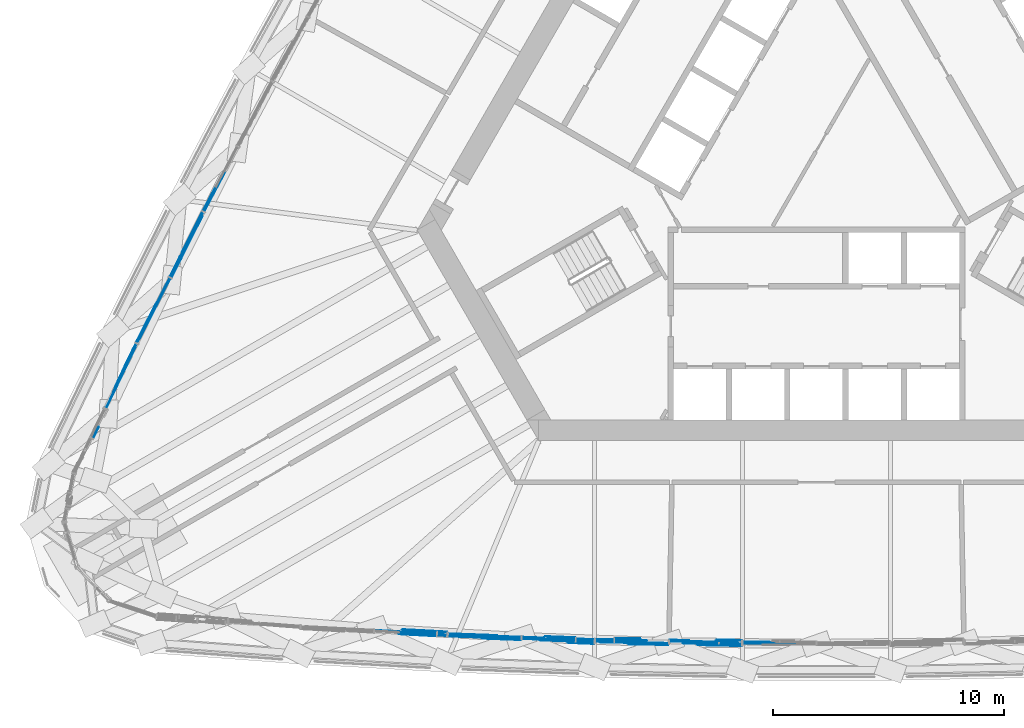
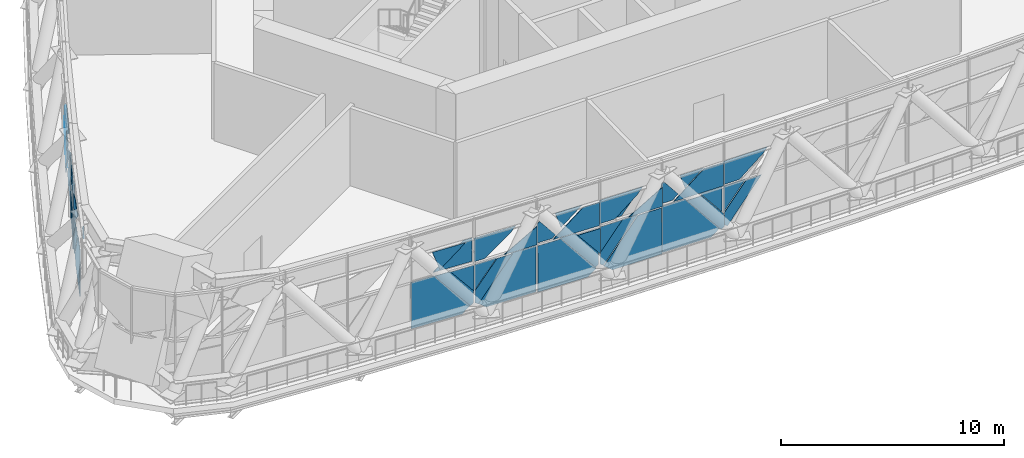
# One storey, part 13 of 43: 50 plates, 2 elements without a shape of their own.
"""IFC4 building model written with IfcOpenShell, lengths in metres."""

from ifc_helpers import new_model, si_unit, direction, frame, origin, place, context, subcontext, project, spatial, polyline, outline, extrude, material, layer, layer_set, type_object, element, aggregate, save


model = new_model("IFC4")

# Units and contexts
model_context = context("Model", 3, precision=1e-05, world=origin(), true_north=direction((0.0, 1.0)))
body_context = subcontext(model_context, "Body", "Model", "MODEL_VIEW")
ifc_project = project(units=[si_unit("LENGTHUNIT", "METRE"), si_unit("AREAUNIT", "SQUARE_METRE"), si_unit("VOLUMEUNIT", "CUBIC_METRE"), si_unit("PLANEANGLEUNIT", "RADIAN"), si_unit("MASSUNIT", "GRAM", prefix="KILO")], contexts=[model_context])

# Site, building, storey
site_placement = place(None, origin())
site = spatial("IfcSite", under=ifc_project, at=site_placement, CompositionType="ELEMENT")
building_placement = place(site_placement, origin())
building = spatial("IfcBuilding", under=site, at=building_placement, Name="Mestral Congress Tower", CompositionType="ELEMENT")
storey_placement = place(building_placement, frame((0.0, 0.0, 78.300048828125)))
storey = spatial("IfcBuildingStorey", under=building, at=storey_placement, Name="L18", CompositionType="ELEMENT", Elevation=78.300048828125)

# Curtain wall, plates
ifc_material_1 = material(Name="Clear low-emissivity double glazing", Category="glass")
curtain_wall_type = type_object("IfcCurtainWallType", Name="Facade refuge band screen", PredefinedType="USERDEFINED", material=ifc_material_1)
placement = place(storey_placement, origin())
curtain_wall_1 = element("IfcCurtainWall", 1, at=placement, inside=storey, type_object=curtain_wall_type, Name="Facade refuge band screen face 1", ObjectType="CURTAIN WALL", PredefinedType="USERDEFINED")
ifc_material_2 = material(Name="Anodised aluminium", Category="aluminium")
ifc_layer_1 = layer(ifc_material_2, 0.028076171875)
ifc_layer_set_1 = layer_set([ifc_layer_1], Name="Anodised aluminium")
plate_type_1 = type_object("IfcPlateType", Name="Facade refuge band screen brace cover panel", PredefinedType="CURTAIN_PANEL", material=ifc_layer_set_1)
plate_1_placement = place(storey_placement, frame((-15.97216796875, -21.426025390625, 0.470703125), z_axis=(-0.055485849073, -0.99845745054, 0.002009978584), x_axis=(-0.769598092598, 0.041485079173, -0.637179538337)))
plate_1 = element("IfcPlate", 2, at=plate_1_placement, type_object=plate_type_1, Name="Facade refuge band screen brace cover panel", PredefinedType="CURTAIN_PANEL", context=body_context, shape_type="SweptSolid", body=[
    extrude(outline(polyline([(0.0, 0.0), (0.19541088798950637, 0.0), (0.19490881549645178, -2.846102650612349), (-0.42302634808712525, -2.335230711186866), (-0.42260971197903774, -0.5112820169940873), (0.0, 0.0)])), origin(), (0.0, 0.0, -1.0), 0.028076171875),
])
plate_2_placement = place(storey_placement, frame((-15.964599609375, -21.289306640625, 3.93798828125), z_axis=(-0.055475503265, -0.998457826101, 0.002106664436), x_axis=(-4.80598e-07, -0.002109886898, -0.999997774186)))
plate_2 = element("IfcPlate", 3, at=plate_2_placement, type_object=plate_type_1, Name="Facade refuge band screen brace cover panel", PredefinedType="CURTAIN_PANEL", context=body_context, shape_type="SweptSolid", body=[
    extrude(outline(polyline([(0.0, 0.0), (1.2780789933153882, -2.710505431213761e-20), (1.27784917061398, -1.971785840344719), (-5.1299827469344575e-05, -0.4398870032738002), (0.0, 0.0)])), origin(), (0.0, 0.0, -1.0), 0.028076171875),
])
plate_3_placement = place(storey_placement, frame((-16.4150390625, -21.466552734375, 3.93798828125), z_axis=(-0.055339826616, -0.998465518945, 0.002027576649), x_axis=(-0.76679934485, 0.041198970536, -0.640563353279)))
plate_3 = element("IfcPlate", 4, at=plate_3_placement, type_object=plate_type_1, Name="Facade refuge band screen brace cover panel", PredefinedType="CURTAIN_PANEL", context=body_context, shape_type="SweptSolid", body=[
    extrude(outline(polyline([(0.0, 0.0), (1.6651754821199347, 1.1102230246251565e-16), (1.277173133682217, -1.0653828393249818), (0.0, 0.0)])), origin(), (0.0, 0.0, -1.0), 0.028076171875),
])
plate_4_placement = place(storey_placement, frame((-14.009033203125, -21.541015625, 2.5400390625), z_axis=(-0.036960246164, -0.999314709663, 0.002012772818), x_axis=(-0.62398556253, 0.021505140096, -0.781139902133)))
plate_4 = element("IfcPlate", 5, at=plate_4_placement, type_object=plate_type_1, Name="Facade refuge band screen brace cover panel", PredefinedType="CURTAIN_PANEL", context=body_context, shape_type="SweptSolid", body=[
    extrude(outline(polyline([(0.0, 0.0), (2.8010201927556997, 0.0), (2.8009299705755426, -0.20087667715034208), (2.2791844282427958, -0.6179689589661896), (0.4939024324077384, -0.6179303322635941), (0.0, 0.0)])), origin(), (0.0, 0.0, -1.0), 0.028076171875),
])
plate_5_placement = place(storey_placement, frame((-12.787841796875, -21.6298828125, 2.659912109375), z_axis=(-0.036823915439, -0.999319878437, 0.001944174036), x_axis=(-0.999321767063, 0.036823985033, 0.0)))
plate_5 = element("IfcPlate", 6, at=plate_5_placement, type_object=plate_type_1, Name="Facade refuge band screen brace cover panel", PredefinedType="CURTAIN_PANEL", context=body_context, shape_type="SweptSolid", body=[
    extrude(outline(polyline([(0.0, 0.0), (1.6840034747472963, -1.3552527156068805e-20), (-0.0001720531950188834, -1.0085468279358467), (0.0, 0.0)])), origin(), (0.0, 0.0, -1.0), 0.028076171875),
])
plate_6_placement = place(storey_placement, frame((-15.909423828125, -21.365966796875, 3.93798828125), z_axis=(-0.036932389072, -0.999316057091, 0.001848425459), x_axis=(0.99931776426, -0.036932452319, -8.3659e-08)))
plate_6 = element("IfcPlate", 7, at=plate_6_placement, type_object=plate_type_1, Name="Facade refuge band screen brace cover panel", PredefinedType="CURTAIN_PANEL", context=body_context, shape_type="SweptSolid", body=[
    extrude(outline(polyline([(0.0, 0.0), (2.1259656821869246, 2.710505431213761e-20), (1.8692153464897248, -0.28002967088088043), (0.5363436971848192, -1.278078398242276), (-0.00015370002047888936, -1.2780785148448974), (0.0, 0.0)])), origin(), (0.0, 0.0, -1.0), 0.028076171875),
])
plate_7_placement = place(storey_placement, frame((-9.595947265625, -21.622314453125, 0.476806640625), z_axis=(-0.036980553699, -0.999314060584, 0.001961368854), x_axis=(-0.772131237254, 0.027327361079, -0.634875237974)))
plate_7 = element("IfcPlate", 8, at=plate_7_placement, type_object=plate_type_1, Name="Facade refuge band screen brace cover panel", PredefinedType="CURTAIN_PANEL", context=body_context, shape_type="SweptSolid", body=[
    extrude(outline(polyline([(0.0, 0.0), (0.19919659538195875, 0.0), (0.19761610382036987, -2.8328493718566), (-0.41923728827854323, -2.3259650854602434), (-0.4183085035368703, -0.5091321396816708), (0.0, 0.0)])), origin(), (0.0, 0.0, -1.0), 0.028076171875),
])
plate_8_placement = place(storey_placement, frame((-9.60009765625, -21.7275390625, 3.93798828125), z_axis=(-0.03699459386, -0.999313594398, 0.001933927525), x_axis=(-9.25567e-07, -0.001935218007, -0.999998127463)))
plate_8 = element("IfcPlate", 9, at=plate_8_placement, type_object=plate_type_1, Name="Facade refuge band screen brace cover panel", PredefinedType="CURTAIN_PANEL", context=body_context, shape_type="SweptSolid", body=[
    extrude(outline(polyline([(0.0, 0.0), (1.2780785032839934, 1.3552527156068805e-20), (1.2779110803504925, -2.370029386695484), (-5.7829610474653106e-05, -0.8174552904211217), (0.0, 0.0)])), origin(), (0.0, 0.0, -1.0), 0.028076171875),
])
plate_9_placement = place(storey_placement, frame((-10.410888671875, -21.535400390625, 3.93798828125), z_axis=(-0.036932022044, -0.99931597511, 0.0018993784), x_axis=(-0.771652611829, 0.027310397782, -0.635457621585)))
plate_9 = element("IfcPlate", 10, at=plate_9_placement, type_object=plate_type_1, Name="Facade refuge band screen brace cover panel", PredefinedType="CURTAIN_PANEL", context=body_context, shape_type="SweptSolid", body=[
    extrude(outline(polyline([(0.0, 0.0), (1.3677397130468827, 0.0), (1.051469140692961, -0.8653479700176218), (0.0, 0.0)])), origin(), (0.0, 0.0, -1.0), 0.028076171875),
])
plate_10_placement = place(storey_placement, frame((-11.96484375, -21.54443359375, 2.659912109375), z_axis=(-0.036691888373, -0.999324429203, 0.002095358042), x_axis=(-0.999326622944, 0.036691970168, 5.95516e-07)))
plate_10 = element("IfcPlate", 11, at=plate_10_placement, type_object=plate_type_1, Name="Facade refuge band screen brace cover panel", PredefinedType="CURTAIN_PANEL", context=body_context, shape_type="SweptSolid", body=[
    extrude(outline(polyline([(0.0, 0.0), (0.7593082814159049, 1.3552527156068805e-20), (0.7591365911705081, -1.0444354095544424), (0.6179392228059888, -1.1291527293740138), (-0.1844348684414909, -0.1518561250793369), (0.0, 0.0)])), origin(), (0.0, 0.0, -1.0), 0.028076171875),
])
plate_11_placement = place(storey_placement, frame((-7.620849609375, -21.6953125, 2.5400390625), z_axis=(-0.01858260649, -0.999825146883, 0.002088635228), x_axis=(-0.626878518117, 0.010023632916, -0.779052533727)))
plate_11 = element("IfcPlate", 12, at=plate_11_placement, type_object=plate_type_1, Name="Facade refuge band screen brace cover panel", PredefinedType="CURTAIN_PANEL", context=body_context, shape_type="SweptSolid", body=[
    extrude(outline(polyline([(0.0, 0.0), (2.80601778022722, 2.220446049250313e-16), (2.805898592700598, -0.20195399843968764), (2.2904756863034317, -0.6167838890979593), (0.49647667290736747, -0.6169201368405055), (0.0, 0.0)])), origin(), (0.0, 0.0, -1.0), 0.028076171875),
])
plate_12_placement = place(storey_placement, frame((-6.410888671875, -21.845458984375, 2.659912109375), z_axis=(-0.018396631031, -0.999829022841, 0.001867900469), x_axis=(-0.999830767073, 0.018396663124, 0.0)))
plate_12 = element("IfcPlate", 13, at=plate_12_placement, type_object=plate_type_1, Name="Facade refuge band screen brace cover panel", PredefinedType="CURTAIN_PANEL", context=body_context, shape_type="SweptSolid", body=[
    extrude(outline(polyline([(0.0, 0.0), (1.7517612994420153, 6.776263578034403e-21), (-0.00020816832570281954, -1.0478533905091638), (0.0, 0.0)])), origin(), (0.0, 0.0, -1.0), 0.028076171875),
])
plate_13_placement = place(storey_placement, frame((-9.5361328125, -21.611083984375, 3.93798828125), z_axis=(-0.01849892605, -0.999826622933, 0.002124572647), x_axis=(0.999828879455, -0.018498967746, 2.5803e-08)))
plate_13 = element("IfcPlate", 14, at=plate_13_placement, type_object=plate_type_1, Name="Facade refuge band screen brace cover panel", PredefinedType="CURTAIN_PANEL", context=body_context, shape_type="SweptSolid", body=[
    extrude(outline(polyline([(0.0, 0.0), (2.2186408753197924, 1.3552527156068805e-20), (1.9275892293781964, -0.35083086292788707), (0.7899803995769816, -1.2780790879304287), (4.9646866573417454e-05, -1.2780789920402866), (0.0, 0.0)])), origin(), (0.0, 0.0, -1.0), 0.028076171875),
])
plate_14_placement = place(storey_placement, frame((-8.7451171875, -21.560302734375, 2.659912109375), z_axis=(-0.018552105506, -0.99982597172, 0.001961034172), x_axis=(0.775023200956, -0.013141625429, 0.631796118745)))
plate_14 = element("IfcPlate", 15, at=plate_14_placement, type_object=plate_type_1, Name="Facade refuge band screen brace cover panel", PredefinedType="CURTAIN_PANEL", context=body_context, shape_type="SweptSolid", body=[
    extrude(outline(polyline([(0.0, 0.0), (1.4676349952772618, -1.1102230246251565e-16), (0.2856147401745128, -0.23279938652483753), (0.0, 0.0)])), origin(), (0.0, 0.0, -1.0), 0.028076171875),
])
plate_15_placement = place(storey_placement, frame((-3.2216796875, -21.888916015625, 0.48046875), z_axis=(-0.018411849632, -0.999828316427, 0.002083617753), x_axis=(-0.774975164783, 0.012954397825, -0.63185890636)))
plate_15 = element("IfcPlate", 16, at=plate_15_placement, type_object=plate_type_1, Name="Facade refuge band screen brace cover panel", PredefinedType="CURTAIN_PANEL", context=body_context, shape_type="SweptSolid", body=[
    extrude(outline(polyline([(0.0, 0.0), (0.2013061813686554, 1.3877787807814457e-17), (0.2016212330880447, -2.8215988091310713), (-0.41499164550863643, -2.3189255043548456), (-0.41510121841516967, -0.5092337554927313), (0.0, 0.0)])), origin(), (0.0, 0.0, -1.0), 0.028076171875),
])
plate_16_placement = place(storey_placement, frame((-3.220458984375, -21.81982421875, 3.93798828125), z_axis=(-0.018421492849, -0.999828236402, 0.002036245286), x_axis=(1.190679e-06, -0.002036612813, -0.999997926101)))
plate_16 = element("IfcPlate", 17, at=plate_16_placement, type_object=plate_type_1, Name="Facade refuge band screen brace cover panel", PredefinedType="CURTAIN_PANEL", context=body_context, shape_type="SweptSolid", body=[
    extrude(outline(polyline([(0.0, 0.0), (1.2780789906936203, 0.0), (1.2779794745536732, -2.566599157499083), (-3.848013819747499e-05, -0.998458922389642), (0.0, 0.0)])), origin(), (0.0, 0.0, -1.0), 0.028076171875),
])
plate_17_placement = place(storey_placement, frame((-4.2177734375, -21.743408203125, 3.93798828125), z_axis=(-0.018347351264, -0.999829834242, 0.001917618779), x_axis=(-0.775067698397, 0.01301120878, -0.631744229375)))
plate_17 = element("IfcPlate", 18, at=plate_17_placement, type_object=plate_type_1, Name="Facade refuge band screen brace cover panel", PredefinedType="CURTAIN_PANEL", context=body_context, shape_type="SweptSolid", body=[
    extrude(outline(polyline([(0.0, 0.0), (1.219651524577394, 0.0), (0.9386583828972861, -0.7649787165109626), (0.0, 0.0)])), origin(), (0.0, 0.0, -1.0), 0.028076171875),
])
plate_18_placement = place(storey_placement, frame((-6.346923828125, -21.640380859375, 3.74365234375), z_axis=(-0.01859766418, -0.999824894913, 0.002075186759), x_axis=(0.857682166968, -0.014886919015, 0.513964668151)))
plate_18 = element("IfcPlate", 19, at=plate_18_placement, type_object=plate_type_1, Name="Facade refuge band screen brace cover panel", PredefinedType="CURTAIN_PANEL", context=body_context, shape_type="SweptSolid", body=[
    extrude(outline(polyline([(0.0, 0.0), (0.15057974814477457, 0.0), (0.3125520286225373, -1.162625684202026), (-0.07436897691338185, -1.2188230271636922), (-0.5569714794065802, -0.9296668715160631), (0.0, 0.0)])), origin(), (0.0, 0.0, -1.0), 0.028076171875),
])
plate_19_placement = place(storey_placement, frame((-1.231689453125, -21.77734375, 2.5400390625), z_axis=(-8.7518382e-05, -0.999997871746, 0.00206127224), x_axis=(-0.629467093274, -0.001546574654, -0.777025602275)))
plate_19 = element("IfcPlate", 20, at=plate_19_placement, type_object=plate_type_1, Name="Facade refuge band screen brace cover panel", PredefinedType="CURTAIN_PANEL", context=body_context, shape_type="SweptSolid", body=[
    extrude(outline(polyline([(0.0, 0.0), (2.81270907967273, 2.220446049250313e-16), (2.812688438953826, -0.2020462405698591), (2.3012454938409492, -0.616364477839952), (0.49930141260956945, -0.6163479410207534), (0.0, 0.0)])), origin(), (0.0, 0.0, -1.0), 0.028076171875),
])
plate_20_placement = place(storey_placement, frame((-3.1591796875, -21.744384765625, 3.93798828125), z_axis=(-4.7779094e-05, -0.999997674988, 0.002155860994), x_axis=(0.999999998859, -4.7778983e-05, 1.03005e-07)))
plate_20 = element("IfcPlate", 21, at=plate_20_placement, type_object=plate_type_1, Name="Facade refuge band screen brace cover panel", PredefinedType="CURTAIN_PANEL", context=body_context, shape_type="SweptSolid", body=[
    extrude(outline(polyline([(0.0, 0.0), (2.255859372425115, -2.985605023433584e-23), (2.0314941447579136, -0.2771005444310019), (0.7946777301322916, -1.278078991456587), (-3.335646617575491e-09, -1.278078991456587), (0.0, 0.0)])), origin(), (0.0, 0.0, -1.0), 0.028076171875),
])

curtain_wall_2 = element("IfcCurtainWall", 22, at=placement, inside=storey, type_object=curtain_wall_type, Name="Facade refuge band screen face 3", ObjectType="CURTAIN WALL", PredefinedType="USERDEFINED")
plate_21_placement = place(storey_placement, frame((-26.4873046875, -3.07958984375, 0.4775390625), z_axis=(-0.88394895595, 0.467578924698, 0.002047548331), x_axis=(0.363851525932, 0.690591454431, -0.625056405569)))
plate_21 = element("IfcPlate", 23, at=plate_21_placement, type_object=plate_type_1, Name="Facade refuge band screen brace cover panel", PredefinedType="CURTAIN_PANEL", context=body_context, shape_type="SweptSolid", body=[
    extrude(outline(polyline([(0.0, 0.0), (0.20076331660970462, 0.0), (0.19821900409628457, -2.801002952508453), (-0.41906576050923405, -2.3067043791861392), (-0.4175797955007933, -0.5213553385445633), (0.0, 0.0)])), origin(), (0.0, 0.0, -1.0), 0.028076171875),
])
plate_22_placement = place(storey_placement, frame((-27.448974609375, -4.861083984375, 2.5400390625), z_axis=(-0.892405821686, 0.451229113782, 0.002033788811), x_axis=(0.286064714375, 0.569230723823, -0.77080695524)))
plate_22 = element("IfcPlate", 24, at=plate_22_placement, type_object=plate_type_1, Name="Facade refuge band screen brace cover panel", PredefinedType="CURTAIN_PANEL", context=body_context, shape_type="SweptSolid", body=[
    extrude(outline(polyline([(0.0, 0.0), (2.8461699720487412, 0.0), (2.846115627869191, -0.19537976390244527), (2.3347484730873442, -0.6178870976894961), (0.5108308491765298, -0.6180713657123434), (0.0, 0.0)])), origin(), (0.0, 0.0, -1.0), 0.028076171875),
])
plate_23_placement = place(storey_placement, frame((-27.972900390625, -5.902099609375, 2.659912109375), z_axis=(-0.892426851868, 0.451188318012, 0.001848176095), x_axis=(0.451189088794, 0.892428375923, 1.24843e-07)))
plate_23 = element("IfcPlate", 25, at=plate_23_placement, type_object=plate_type_1, Name="Facade refuge band screen brace cover panel", PredefinedType="CURTAIN_PANEL", context=body_context, shape_type="SweptSolid", body=[
    extrude(outline(polyline([(0.0, 0.0), (1.0393236425063863, 1.0842021724855044e-19), (0.8623388122930771, -0.3459477488048078), (7.393337387428369e-06, -0.848146109532316), (0.0, 0.0)])), origin(), (0.0, 0.0, -1.0), 0.028076171875),
])
plate_24_placement = place(storey_placement, frame((-26.53369140625, -3.123291015625, 3.93798828125), z_axis=(-0.89243827643, 0.45116535194, 0.001935967894), x_axis=(-0.451166197475, -0.892439948824, -3.1619e-08)))
plate_24 = element("IfcPlate", 26, at=plate_24_placement, type_object=plate_type_1, Name="Facade refuge band screen brace cover panel", PredefinedType="CURTAIN_PANEL", context=body_context, shape_type="SweptSolid", body=[
    extrude(outline(polyline([(0.0, 0.0), (2.286751436216874, 0.0), (0.4772545796948008, -1.2780785518879103), (-9.803184568199738e-05, -1.278078639287055), (0.0, 0.0)])), origin(), (0.0, 0.0, -1.0), 0.028076171875),
])
plate_25_placement = place(storey_placement, frame((-29.423095703125, -8.742919921875, 0.471923828125), z_axis=(-0.892405758194, 0.451229070789, 0.002070849304), x_axis=(0.352408720765, 0.699818102305, -0.621339454096)))
plate_25 = element("IfcPlate", 27, at=plate_25_placement, type_object=plate_type_1, Name="Facade refuge band screen brace cover panel", PredefinedType="CURTAIN_PANEL", context=body_context, shape_type="SweptSolid", body=[
    extrude(outline(polyline([(0.0, 0.0), (0.19842817838581114, 1.3877787807814457e-17), (0.1993888596015021, -2.7975684790234405), (-0.4199089037274477, -2.306470584290032), (-0.4205595456073279, -0.5305308974534413), (0.0, 0.0)])), origin(), (0.0, 0.0, -1.0), 0.028076171875),
])
plate_26_placement = place(storey_placement, frame((-29.388916015625, -8.760009765625, 2.659912109375), z_axis=(-0.89241504289, 0.451211204064, 0.001959732366), x_axis=(0.451212070921, 0.892416756373, 2.31748e-07)))
plate_26 = element("IfcPlate", 28, at=plate_26_placement, type_object=plate_type_1, Name="Facade refuge band screen brace cover panel", PredefinedType="CURTAIN_PANEL", context=body_context, shape_type="SweptSolid", body=[
    extrude(outline(polyline([(0.0, 0.0), (1.9014421108591244, 0.0), (0.31861071020668663, -1.278078552302741), (1.2512238918927507e-05, -1.2780790667946826), (0.0, 0.0)])), origin(), (0.0, 0.0, -1.0), 0.028076171875),
])
plate_27_placement = place(storey_placement, frame((-29.26953125, -8.46337890625, 3.93798828125), z_axis=(-0.892382449977, 0.451274783867, 0.002152305326), x_axis=(0.349934945257, 0.694981727762, -0.628128913652)))
plate_27 = element("IfcPlate", 29, at=plate_27_placement, type_object=plate_type_1, Name="Facade refuge band screen brace cover panel", PredefinedType="CURTAIN_PANEL", context=body_context, shape_type="SweptSolid", body=[
    extrude(outline(polyline([(0.0, 0.0), (1.6981392950439804, 1.1102230246251565e-16), (1.3079139673541285, -1.0558179068865678), (0.0, 0.0)])), origin(), (0.0, 0.0, -1.0), 0.028076171875),
])
plate_28_placement = place(storey_placement, frame((-27.976806640625, -5.96728515625, 2.659912109375), z_axis=(-0.892441557293, 0.45115786751, 0.002155318878), x_axis=(0.001872152908, -0.001073962877, 0.999997670821)))
plate_28 = element("IfcPlate", 30, at=plate_28_placement, type_object=plate_type_1, Name="Facade refuge band screen brace cover panel", PredefinedType="CURTAIN_PANEL", context=body_context, shape_type="SweptSolid", body=[
    extrude(outline(polyline([(0.0, 0.0), (0.8830588320998692, 4.0657581468206416e-20), (1.052769966273054, -0.2911732656094144), (0.0001283766449144306, -1.1267793321860533), (0.0, 0.0)])), origin(), (0.0, 0.0, -1.0), 0.028076171875),
])
plate_29_placement = place(storey_placement, frame((-30.275146484375, -10.5947265625, 2.5400390625), z_axis=(-0.90054220722, 0.434763510688, 0.002103042862), x_axis=(0.276696607095, 0.5768498965, -0.768559161372)))
plate_29 = element("IfcPlate", 31, at=plate_29_placement, type_object=plate_type_1, Name="Facade refuge band screen brace cover panel", PredefinedType="CURTAIN_PANEL", context=body_context, shape_type="SweptSolid", body=[
    extrude(outline(polyline([(0.0, 0.0), (2.8618006791380854, 2.220446049250313e-16), (2.8615899917812486, -0.19054920838853806), (2.346583860256606, -0.6193765535512925), (0.5156333919621923, -0.6194278630899116), (0.0, 0.0)])), origin(), (0.0, 0.0, -1.0), 0.028076171875),
])
plate_30_placement = place(storey_placement, frame((-29.44091796875, -8.8017578125, 3.5087890625), z_axis=(-0.900556095606, 0.434734577257, 0.002136821025), x_axis=(-0.403590182129, -0.837847058583, 0.367596614938)))
plate_30 = element("IfcPlate", 32, at=plate_30_placement, type_object=plate_type_1, Name="Facade refuge band screen brace cover panel", PredefinedType="CURTAIN_PANEL", context=body_context, shape_type="SweptSolid", body=[
    extrude(outline(polyline([(0.0, 0.0), (1.1675822910912377, 0.0), (2.053794437085071, -0.35029533344470637), (-0.28810476905093246, -0.7288144778462907), (0.0, 0.0)])), origin(), (0.0, 0.0, -1.0), 0.028076171875),
])
plate_31_placement = place(storey_placement, frame((-29.41552734375, -8.814208984375, 2.659912109375), z_axis=(-0.9005249999, 0.434798444706, 0.002244334248), x_axis=(0.002729131824, 0.000490631507, 0.999996155553)))
plate_31 = element("IfcPlate", 33, at=plate_31_placement, type_object=plate_type_1, Name="Facade refuge band screen brace cover panel", PredefinedType="CURTAIN_PANEL", context=body_context, shape_type="SweptSolid", body=[
    extrude(outline(polyline([(0.0, 0.0), (0.06518596256455056, -1.3552527156068805e-20), (1.2747580336086834, -2.0405408679619303), (1.2743063472922431, -2.3178916641489247), (1.1482609450621855, -2.2101286360059), (-0.0012901441077804911, -0.7921969053656803), (0.0, 0.0)])), origin(), (0.0, 0.0, -1.0), 0.028076171875),
])
plate_32_placement = place(storey_placement, frame((-31.295166015625, -12.90869140625, 4.18359375), z_axis=(-0.900498171152, 0.434855461156, 0.001942074642), x_axis=(0.376073537701, 0.780999423015, -0.498606654078)))
plate_32 = element("IfcPlate", 34, at=plate_32_placement, type_object=plate_type_1, Name="Facade refuge band screen brace cover panel", PredefinedType="CURTAIN_PANEL", context=body_context, shape_type="SweptSolid", body=[
    extrude(outline(polyline([(0.0, 0.0), (0.3985715900665001, 0.0), (0.4135276501539396, -0.46628227487624274), (-0.20049375044066867, -0.5856981813439918), (0.0, 0.0)])), origin(), (0.0, 0.0, -1.0), 0.028076171875),
])

# Plate
ifc_layer_2 = layer(ifc_material_1, 0.028076171875)
ifc_layer_set_2 = layer_set([ifc_layer_2], Name="Clear low-emissivity double glazing")
plate_type_2 = type_object("IfcPlateType", Name="Facade refuge band screen panel", PredefinedType="CURTAIN_PANEL", material=ifc_layer_set_2)
plate_33_placement = place(storey_placement, frame((-15.9736328125, -21.451904296875, 2.5400390625), z_axis=(-0.055469917727, -0.998458519083, 0.001916741384), x_axis=(-0.000173640938, -0.001910050316, -0.999998160777)))
plate_33 = element("IfcPlate", 35, at=plate_33_placement, type_object=plate_type_2, Name="Refuge screen glass unit", PredefinedType="CURTAIN_PANEL", context=body_context, shape_type="SweptSolid", body=[
    extrude(outline(polyline([(0.0, 0.0), (1.40600844533861, -4.0657581468206416e-20), (7.834190748292022e-05, -1.161945232615924), (0.0, 0.0)])), origin(), (0.0, 0.0, -1.0), 0.028076171875),
])

plate_34_placement = place(storey_placement, frame((-16.539306640625, -21.365478515625, 0.0), z_axis=(-0.055478910406, -0.998457965981, 0.001944394335), x_axis=(-0.998459853399, 0.055479015405, 6.4782e-08)))
plate_34 = element("IfcPlate", 36, at=plate_34_placement, type_object=plate_type_2, Name="Refuge screen glass unit", PredefinedType="CURTAIN_PANEL", context=body_context, shape_type="SweptSolid", body=[
    extrude(outline(polyline([(0.0, 0.0), (2.5596109698113163, 0.0), (2.5596382633763475, -2.540043766796649), (1.3940230142953707, -2.5400437837307477), (-0.41905863434642737, -0.34619231357223945), (0.0, 0.0)])), origin(), (0.0, 0.0, -1.0), 0.028076171875),
])

plate_35_placement = place(storey_placement, frame((-15.911865234375, -21.4287109375, 2.5400390625), z_axis=(-0.037011591974, -0.999312983285, 0.001924447272), x_axis=(0.999314833767, -0.03701166051, 0.0)))
plate_35 = element("IfcPlate", 37, at=plate_35_placement, type_object=plate_type_2, Name="Refuge screen glass unit", PredefinedType="CURTAIN_PANEL", context=body_context, shape_type="SweptSolid", body=[
    extrude(outline(polyline([(0.0, 0.0), (1.1147774797617012, 0.0), (9.939654922086986e-05, -1.3945338323285335), (0.0, 0.0)])), origin(), (0.0, 0.0, -1.0), 0.028076171875),
])

plate_36_placement = place(storey_placement, frame((-12.783447265625, -21.514404296875, 2.5400390625), z_axis=(-0.036949762894, -0.9993151803, 0.001971152975), x_axis=(-9.7837831e-05, -0.00196888239, -0.999998056963)))
plate_36 = element("IfcPlate", 38, at=plate_36_placement, type_object=plate_type_2, Name="Refuge screen glass unit", PredefinedType="CURTAIN_PANEL", context=body_context, shape_type="SweptSolid", body=[
    extrude(outline(polyline([(0.0, 0.0), (2.5400437646800036, 2.710505431213761e-20), (2.5401072191042893, -2.5320005939197143), (2.1880670214927385, -2.972516802166227), (3.023866439770728e-05, -1.2237431958744134), (0.0, 0.0)])), origin(), (0.0, 0.0, -1.0), 0.028076171875),
])

plate_37_placement = place(storey_placement, frame((-9.6025390625, -21.796142578125, 2.5400390625), z_axis=(-0.036854898427, -0.999318452763, 0.002084809011), x_axis=(0.0, -0.002086226336, -0.999997823827)))
plate_37 = element("IfcPlate", 39, at=plate_37_placement, type_object=plate_type_2, Name="Refuge screen glass unit", PredefinedType="CURTAIN_PANEL", context=body_context, shape_type="SweptSolid", body=[
    extrude(outline(polyline([(0.0, 0.0), (1.404299930998935, 0.0), (-8.862387268116303e-05, -1.1526385397254038), (0.0, 0.0)])), origin(), (0.0, 0.0, -1.0), 0.028076171875),
])

plate_38_placement = place(storey_placement, frame((-10.17919921875, -21.67578125, 0.0), z_axis=(-0.036902602691, -0.999316848512, 0.002008530412), x_axis=(-0.999318864241, 0.036902677038, -4.4439e-08)))
plate_38 = element("IfcPlate", 40, at=plate_38_placement, type_object=plate_type_2, Name="Refuge screen glass unit", PredefinedType="CURTAIN_PANEL", context=body_context, shape_type="SweptSolid", body=[
    extrude(outline(polyline([(0.0, 0.0), (2.5486088677781145, -2.710505431213761e-20), (2.5485539788655243, -2.540044247709615), (1.3702620944060726, -2.5400442457836907), (-0.4270257335055244, -0.3503423207254481), (0.0, 0.0)])), origin(), (0.0, 0.0, -1.0), 0.028076171875),
])

plate_39_placement = place(storey_placement, frame((-9.53759765625, -21.68994140625, 2.5400390625), z_axis=(-0.018451014475, -0.99982791378, 0.001924289619), x_axis=(0.999829764912, -0.018451048636, 0.0)))
plate_39 = element("IfcPlate", 41, at=plate_39_placement, type_object=plate_type_2, Name="Refuge screen glass unit", PredefinedType="CURTAIN_PANEL", context=body_context, shape_type="SweptSolid", body=[
    extrude(outline(polyline([(0.0, 0.0), (1.1247031826951417, 0.0), (-0.00019454790769429922, -1.3977076659066396), (0.0, 0.0)])), origin(), (0.0, 0.0, -1.0), 0.028076171875),
])

plate_40_placement = place(storey_placement, frame((-6.409423828125, -21.77978515625, 2.5400390625), z_axis=(-0.018498274764, -0.999826865701, 0.002013070455), x_axis=(-9.5990662e-05, -0.002011638995, -0.999997972045)))
plate_40 = element("IfcPlate", 42, at=plate_40_placement, type_object=plate_type_2, Name="Refuge screen glass unit", PredefinedType="CURTAIN_PANEL", context=body_context, shape_type="SweptSolid", body=[
    extrude(outline(polyline([(0.0, 0.0), (2.540044248429432, 0.0), (2.5401929526507416, -2.531928084689614), (2.1862143141508024, -2.9719775974471614), (7.12194414474027e-05, -1.2128544776988461), (0.0, 0.0)])), origin(), (0.0, 0.0, -1.0), 0.028076171875),
])

plate_41_placement = place(storey_placement, frame((-3.21728515625, -21.652587890625, 2.5400390625), z_axis=(-0.018361160478, -0.999829238572, 0.002088416164), x_axis=(0.0, -0.002088768289, -0.999997818521)))
plate_41 = element("IfcPlate", 43, at=plate_41_placement, type_object=plate_type_2, Name="Refuge screen glass unit", PredefinedType="CURTAIN_PANEL", context=body_context, shape_type="SweptSolid", body=[
    extrude(outline(polyline([(0.0, 0.0), (1.4025909503475111, 0.0), (-4.385597482499276e-05, -1.143503319026676), (0.0, 0.0)])), origin(), (0.0, 0.0, -1.0), 0.028076171875),
])

plate_42_placement = place(storey_placement, frame((-3.80810546875, -21.73681640625, 0.0), z_axis=(-0.018464348362, -0.999827496871, 0.002011054648), x_axis=(-0.999829518699, 0.018464385655, -2.2756e-08)))
plate_42 = element("IfcPlate", 44, at=plate_42_placement, type_object=plate_type_2, Name="Refuge screen glass unit", PredefinedType="CURTAIN_PANEL", context=body_context, shape_type="SweptSolid", body=[
    extrude(outline(polyline([(0.0, 0.0), (2.5402274524106705, -1.3552527156068805e-20), (2.540322060648352, -2.540044234930307), (1.3499337065546468, -2.540044222189553), (-0.4331668776051236, -0.3532721157059046), (0.0, 0.0)])), origin(), (0.0, 0.0, -1.0), 0.028076171875),
])

plate_43_placement = place(storey_placement, frame((-3.1591796875, -21.71533203125, 2.5400390625), z_axis=(0.0, -0.999998160553, 0.001918043551), x_axis=(1.0, 0.0, 0.0)))
plate_43 = element("IfcPlate", 45, at=plate_43_placement, type_object=plate_type_2, Name="Refuge screen glass unit", PredefinedType="CURTAIN_PANEL", context=body_context, shape_type="SweptSolid", body=[
    extrude(outline(polyline([(0.0, 0.0), (1.13427734375, 0.0), (0.0, -1.400149059875301), (0.0, 0.0)])), origin(), (0.0, 0.0, -1.0), 0.028076171875),
])

aggregate(curtain_wall_1, [plate_33, plate_34, plate_1, plate_2, plate_3, plate_35, plate_36, plate_4, plate_5, plate_6, plate_37, plate_38, plate_7, plate_8, plate_9, plate_10, plate_39, plate_40, plate_11, plate_12, plate_13, plate_14, plate_41, plate_42, plate_15, plate_16, plate_17, plate_18, plate_43, plate_19, plate_20])

plate_44_placement = place(storey_placement, frame((-26.534912109375, -3.054443359375, 2.5400390625), z_axis=(-0.883940391511, 0.467594830494, 0.00211157536), x_axis=(-0.001925765999, 0.000875348182, -0.999997762593)))
plate_44 = element("IfcPlate", 46, at=plate_44_placement, type_object=plate_type_2, Name="Refuge screen glass unit", PredefinedType="CURTAIN_PANEL", context=body_context, shape_type="SweptSolid", body=[
    extrude(outline(polyline([(0.0, 0.0), (1.3945343701410517, -2.439454888092385e-19), (-0.0001412610224606662, -1.114723761161401), (0.0, 0.0)])), origin(), (0.0, 0.0, -1.0), 0.028076171875),
])

plate_45_placement = place(storey_placement, frame((-26.537841796875, -3.12109375, 2.5400390625), z_axis=(-0.892441516115, 0.451158920438, 0.001941345679), x_axis=(-0.451159770609, -0.892443197847, 0.0)))
plate_45 = element("IfcPlate", 47, at=plate_45_placement, type_object=plate_type_2, Name="Refuge screen glass unit", PredefinedType="CURTAIN_PANEL", context=body_context, shape_type="SweptSolid", body=[
    extrude(outline(polyline([(0.0, 0.0), (1.161827707215647, 0.0), (1.2056083217179613e-05, -1.4060085088761305), (0.0, 0.0)])), origin(), (0.0, 0.0, -1.0), 0.028076171875),
])

plate_46_placement = place(storey_placement, frame((-27.89990234375, -5.939208984375, 2.5400390625), z_axis=(-0.892439642942, 0.451162533247, 0.001962727817), x_axis=(-0.001716777437, 0.00095443162, -0.999998070866)))
plate_46 = element("IfcPlate", 48, at=plate_46_placement, type_object=plate_type_2, Name="Refuge screen glass unit", PredefinedType="CURTAIN_PANEL", context=body_context, shape_type="SweptSolid", body=[
    extrude(outline(polyline([(0.0, 0.0), (2.5400440370114388, 4.0657581468206416e-19), (2.540241621230183, -2.559493223523494), (2.1940819616241947, -2.9786805262005345), (9.006214200266919e-05, -1.1656490716180452), (0.0, 0.0)])), origin(), (0.0, 0.0, -1.0), 0.028076171875),
])

plate_47_placement = place(storey_placement, frame((-29.392578125, -8.758056640625, 2.5400390625), z_axis=(-0.892426067901, 0.451189387489, 0.001962128399), x_axis=(-0.001754998377, 0.000877499188, -0.999998074986)))
plate_47 = element("IfcPlate", 49, at=plate_47_placement, type_object=plate_type_2, Name="Refuge screen glass unit", PredefinedType="CURTAIN_PANEL", context=body_context, shape_type="SweptSolid", body=[
    extrude(outline(polyline([(0.0, 0.0), (1.3911159591675808, 5.421010862427522e-20), (-9.640494012079287e-06, -1.103851132280769), (0.0, 0.0)])), origin(), (0.0, 0.0, -1.0), 0.028076171875),
])

plate_48_placement = place(storey_placement, frame((-29.10205078125, -8.238525390625, 0.0), z_axis=(-0.892392253123, 0.451256165313, 0.001984901222), x_axis=(0.451257054395, 0.892394010994, 8.0417e-08)))
plate_48 = element("IfcPlate", 50, at=plate_48_placement, type_object=plate_type_2, Name="Refuge screen glass unit", PredefinedType="CURTAIN_PANEL", context=body_context, shape_type="SweptSolid", body=[
    extrude(outline(polyline([(0.0, 0.0), (2.5344915570539674, 0.0), (2.534513997859115, -2.5400438110154666), (1.29964213170719, -2.5400441677418146), (-0.43957218479092597, -0.3486335093084373), (0.0, 0.0)])), origin(), (0.0, 0.0, -1.0), 0.028076171875),
])

plate_49_placement = place(storey_placement, frame((-29.442626953125, -8.801025390625, 2.5400390625), z_axis=(-0.900549658713, 0.434748111103, 0.002095729841), x_axis=(-0.434749065831, -0.900551636365, 0.0)))
plate_49 = element("IfcPlate", 51, at=plate_49_placement, type_object=plate_type_2, Name="Refuge screen glass unit", PredefinedType="CURTAIN_PANEL", context=body_context, shape_type="SweptSolid", body=[
    extrude(outline(polyline([(0.0, 0.0), (1.1714282646619083, 0.0), (6.82327984179788e-05, -1.4072296528385082), (0.0, 0.0)])), origin(), (0.0, 0.0, -1.0), 0.028076171875),
])

plate_50_placement = place(storey_placement, frame((-30.7197265625, -11.5849609375, 2.5400390625), z_axis=(-0.90060096761, 0.434642232931, 0.002006612221), x_axis=(-0.001813543738, 0.00085893387, -0.999997986644)))
plate_50 = element("IfcPlate", 52, at=plate_50_placement, type_object=plate_type_2, Name="Refuge screen glass unit", PredefinedType="CURTAIN_PANEL", context=body_context, shape_type="SweptSolid", body=[
    extrude(outline(polyline([(0.0, 0.0), (2.5400442482368843, 3.1170812458958252e-19), (2.5400073136167247, -2.5067593025753254), (2.199424608384702, -2.9161131162518363), (-1.5980033951966638e-05, -1.0851668494768922), (0.0, 0.0)])), origin(), (0.0, 0.0, -1.0), 0.028076171875),
])

aggregate(curtain_wall_2, [plate_44, plate_21, plate_45, plate_46, plate_22, plate_23, plate_24, plate_47, plate_48, plate_25, plate_26, plate_27, plate_28, plate_49, plate_50, plate_29, plate_30, plate_31, plate_32])

save(model, "model.ifc")
